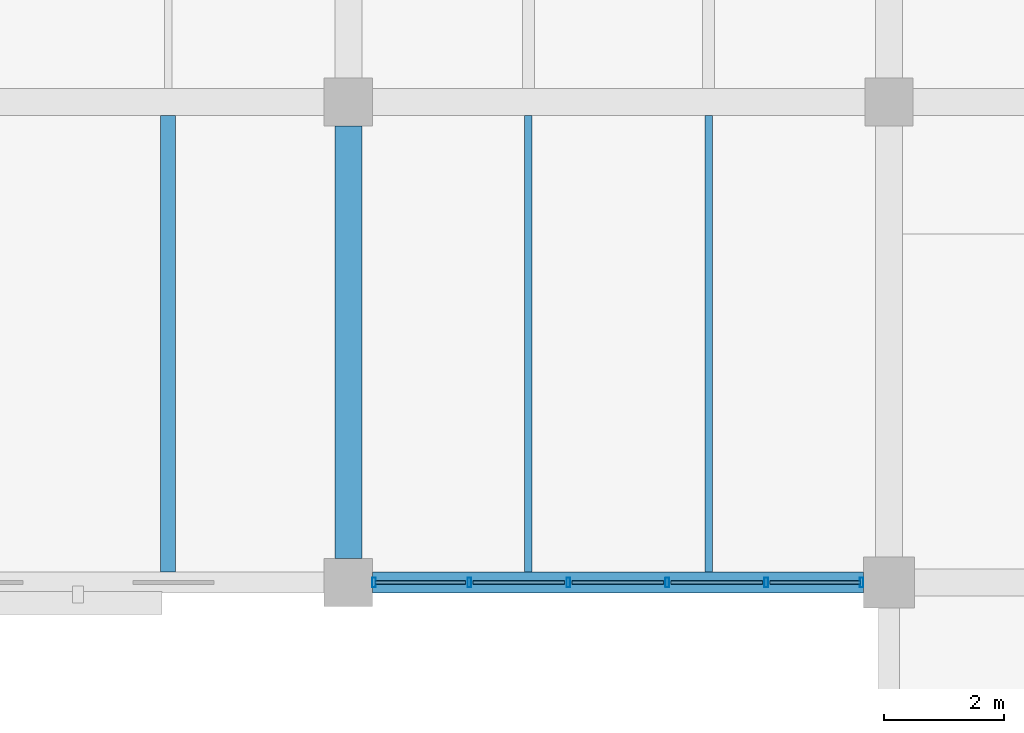
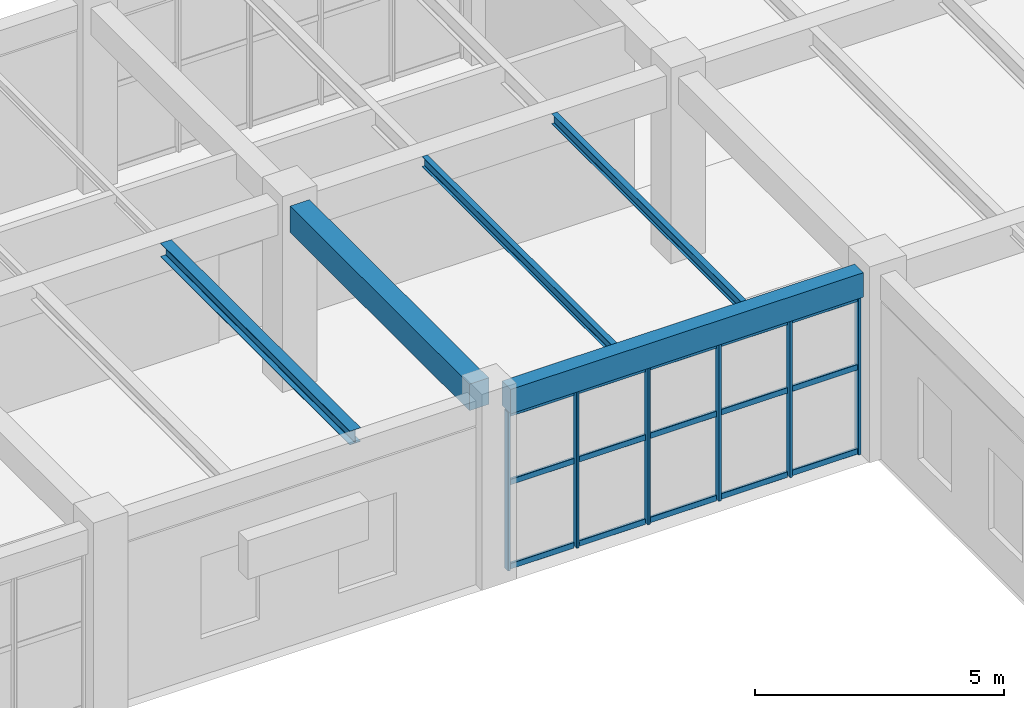
# One storey, part 128 of 178: 21 members, 5 beams, 1 element without a shape of its own.
"""IFC4 building model written with IfcOpenShell, lengths in metres."""

from ifc_helpers import new_model, si_unit, derived_unit, direction, frame, origin, origin_2d, place, context, subcontext, project, spatial, rectangle, hollow_rectangle, i_section, extrude, material, material_profile, profile_set, type_object, element, aggregate, save


model = new_model("IFC4")

# Units and contexts
model_context = context("Model", 3, precision=1e-05, world=origin(), true_north=direction((0.0, 1.0)))
body_context = subcontext(model_context, "Body", "Model", "MODEL_VIEW")
ifc_project = project(units=[si_unit("LENGTHUNIT", "METRE"), si_unit("AREAUNIT", "SQUARE_METRE"), si_unit("VOLUMEUNIT", "CUBIC_METRE"), si_unit("PLANEANGLEUNIT", "RADIAN"), si_unit("MASSUNIT", "GRAM", prefix="KILO"), derived_unit("THERMALTRANSMITTANCEUNIT", [(si_unit("MASSUNIT", "GRAM", prefix="KILO"), 1), (si_unit("TIMEUNIT", "SECOND"), -3), (si_unit("THERMODYNAMICTEMPERATUREUNIT", "KELVIN"), -1)])], contexts=[model_context])

# Site, building, storey
site_placement = place(None, origin())
site = spatial("IfcSite", under=ifc_project, at=site_placement, CompositionType="ELEMENT")
building_placement = place(site_placement, origin())
building = spatial("IfcBuilding", under=site, at=building_placement, Name="Zhenchuan Archway Interchange", CompositionType="ELEMENT")
storey_placement = place(building_placement, frame((0.0, 0.0, 5.39990234375)))
storey = spatial("IfcBuildingStorey", under=building, at=storey_placement, Name="L01", CompositionType="ELEMENT", Elevation=5.39990234375)

# Beam
ifc_material_1 = material(Name="Concrete C40", Category="concrete")
ifc_material_profile_1 = material_profile(ifc_material_1, rectangle(XDim=0.449951171875, YDim=0.64990234375, at=origin_2d()), Name="RC 450x650")
ifc_profile_set_1 = profile_set([ifc_material_profile_1], Name="Concrete C40")
beam_type_1 = type_object("IfcBeamType", Name="BM_RC_450x650", PredefinedType="BEAM", material=ifc_profile_set_1)
beam_1_placement = place(storey_placement, frame((135.0, 88.39990234375, 4.18505859375), z_axis=(0.0, 1.0, 0.0), x_axis=(-1.0, 0.0, 0.0)))
element("IfcBeam", 1, at=beam_1_placement, inside=storey, type_object=beam_type_1, Name="Beam 16:M-N (L01)", PredefinedType="BEAM", context=body_context, shape_type="SweptSolid", body=[
    extrude(rectangle(XDim=0.449951171875, YDim=0.64990234375, at=origin_2d()), origin(), (0.0, 0.0, 1.0), 7.2001953125),
])

# Curtain wall, members
ifc_material_2 = material(Name="Anodised Aluminium", Category="aluminium")
curtain_wall_type = type_object("IfcCurtainWallType", Name="CW_UNIT_1", PredefinedType="NOTDEFINED", material=ifc_material_2)
curtain_wall_placement = place(storey_placement, origin())
curtain_wall = element("IfcCurtainWall", 2, at=curtain_wall_placement, inside=storey, type_object=curtain_wall_type, Name="Unitised curtain wall CW:L01:096", PredefinedType="NOTDEFINED")
ifc_material_profile_2 = material_profile(ifc_material_2, hollow_rectangle(XDim=0.06005859375, YDim=0.159912109375, WallThickness=0.00390625, InnerFilletRadius=0.00390625, OuterFilletRadius=0.008056640625, at=origin_2d()), Name="ALU 160x60x4")
ifc_profile_set_2 = profile_set([ifc_material_profile_2], Name="Anodised Aluminium")
member_type_1 = type_object("IfcMemberType", Name="CW_MUL_150", PredefinedType="MULLION", material=ifc_profile_set_2)
member_1_placement = place(storey_placement, frame((143.547119140625, 88.0, 0.0), z_axis=(0.0, 0.0, 1.0), x_axis=(1.0, 0.0, 0.0)))
member_1 = element("IfcMember", 3, at=member_1_placement, type_object=member_type_1, Name="CW:L01:096 mullion 0", PredefinedType="MULLION", context=body_context, shape_type="SweptSolid", body=[
    extrude(hollow_rectangle(XDim=0.06005859375, YDim=0.159912109375, WallThickness=0.00390625, InnerFilletRadius=0.00390625, OuterFilletRadius=0.008056640625, at=origin_2d()), origin(), (0.0, 0.0, 1.0), 3.880126953125),
])
member_2_placement = place(storey_placement, frame((141.959228515625, 88.0, 0.0), z_axis=(0.0, 0.0, 1.0), x_axis=(1.0, 0.0, 0.0)))
member_2 = element("IfcMember", 4, at=member_2_placement, type_object=member_type_1, Name="CW:L01:096 mullion 1", PredefinedType="MULLION", context=body_context, shape_type="SweptSolid", body=[
    extrude(hollow_rectangle(XDim=0.06005859375, YDim=0.159912109375, WallThickness=0.00390625, InnerFilletRadius=0.00390625, OuterFilletRadius=0.008056640625, at=origin_2d()), origin(), (0.0, 0.0, 1.0), 3.880126953125),
])
member_3_placement = place(storey_placement, frame((140.311279296875, 88.0, 0.0), z_axis=(0.0, 0.0, 1.0), x_axis=(1.0, 0.0, 0.0)))
member_3 = element("IfcMember", 5, at=member_3_placement, type_object=member_type_1, Name="CW:L01:096 mullion 2", PredefinedType="MULLION", context=body_context, shape_type="SweptSolid", body=[
    extrude(hollow_rectangle(XDim=0.06005859375, YDim=0.159912109375, WallThickness=0.00390625, InnerFilletRadius=0.00390625, OuterFilletRadius=0.008056640625, at=origin_2d()), origin(), (0.0, 0.0, 1.0), 3.880126953125),
])
member_4_placement = place(storey_placement, frame((138.66357421875, 88.0, 0.0), z_axis=(0.0, 0.0, 1.0), x_axis=(1.0, 0.0, 0.0)))
member_4 = element("IfcMember", 6, at=member_4_placement, type_object=member_type_1, Name="CW:L01:096 mullion 3", PredefinedType="MULLION", context=body_context, shape_type="SweptSolid", body=[
    extrude(hollow_rectangle(XDim=0.06005859375, YDim=0.159912109375, WallThickness=0.00390625, InnerFilletRadius=0.00390625, OuterFilletRadius=0.008056640625, at=origin_2d()), origin(), (0.0, 0.0, 1.0), 3.880126953125),
])
member_5_placement = place(storey_placement, frame((137.015869140625, 88.0, 0.0), z_axis=(0.0, 0.0, 1.0), x_axis=(1.0, 0.0, 0.0)))
member_5 = element("IfcMember", 7, at=member_5_placement, type_object=member_type_1, Name="CW:L01:096 mullion 4", PredefinedType="MULLION", context=body_context, shape_type="SweptSolid", body=[
    extrude(hollow_rectangle(XDim=0.06005859375, YDim=0.159912109375, WallThickness=0.00390625, InnerFilletRadius=0.00390625, OuterFilletRadius=0.008056640625, at=origin_2d()), origin(), (0.0, 0.0, 1.0), 3.880126953125),
])
member_6_placement = place(storey_placement, frame((135.427978515625, 88.0, 0.0), z_axis=(0.0, 0.0, 1.0), x_axis=(1.0, 0.0, 0.0)))
member_6 = element("IfcMember", 8, at=member_6_placement, type_object=member_type_1, Name="CW:L01:096 mullion 5", PredefinedType="MULLION", context=body_context, shape_type="SweptSolid", body=[
    extrude(hollow_rectangle(XDim=0.06005859375, YDim=0.159912109375, WallThickness=0.00390625, InnerFilletRadius=0.00390625, OuterFilletRadius=0.008056640625, at=origin_2d()), origin(), (0.0, 0.0, 1.0), 3.880126953125),
])
ifc_material_profile_3 = material_profile(ifc_material_2, hollow_rectangle(XDim=0.06005859375, YDim=0.139892578125, WallThickness=0.00341796875, InnerFilletRadius=0.00341796875, OuterFilletRadius=0.007080078125, at=origin_2d()), Name="ALU 140x60x3.5")
ifc_profile_set_3 = profile_set([ifc_material_profile_3], Name="Anodised Aluminium")
member_type_2 = type_object("IfcMemberType", Name="CW_TRN_140", PredefinedType="USERDEFINED", material=ifc_profile_set_3)
member_7_placement = place(storey_placement, frame((143.527099609375, 88.0, 0.06005859375), z_axis=(-1.0, 0.0, 0.0), x_axis=(0.0, -1.0, 0.0)))
member_7 = element("IfcMember", 9, at=member_7_placement, type_object=member_type_2, Name="CW:L01:096 transom 0-1", ObjectType="TRANSOM", PredefinedType="USERDEFINED", context=body_context, shape_type="SweptSolid", body=[
    extrude(hollow_rectangle(XDim=0.06005859375, YDim=0.139892578125, WallThickness=0.00341796875, InnerFilletRadius=0.00341796875, OuterFilletRadius=0.007080078125, at=origin_2d()), origin(), (0.0, 0.0, 1.0), 1.5078125),
])
member_8_placement = place(storey_placement, frame((143.527099609375, 88.0, 2.123046875), z_axis=(-1.0, 0.0, 0.0), x_axis=(0.0, -1.0, 0.0)))
member_8 = element("IfcMember", 10, at=member_8_placement, type_object=member_type_2, Name="CW:L01:096 transom 0-2", ObjectType="TRANSOM", PredefinedType="USERDEFINED", context=body_context, shape_type="SweptSolid", body=[
    extrude(hollow_rectangle(XDim=0.06005859375, YDim=0.139892578125, WallThickness=0.00341796875, InnerFilletRadius=0.00341796875, OuterFilletRadius=0.007080078125, at=origin_2d()), origin(), (0.0, 0.0, 1.0), 1.5078125),
])
member_9_placement = place(storey_placement, frame((143.527099609375, 88.0, 3.800048828125), z_axis=(-1.0, 0.0, 0.0), x_axis=(0.0, -1.0, 0.0)))
member_9 = element("IfcMember", 11, at=member_9_placement, type_object=member_type_2, Name="CW:L01:096 transom 0-3", ObjectType="TRANSOM", PredefinedType="USERDEFINED", context=body_context, shape_type="SweptSolid", body=[
    extrude(hollow_rectangle(XDim=0.06005859375, YDim=0.139892578125, WallThickness=0.00341796875, InnerFilletRadius=0.00341796875, OuterFilletRadius=0.007080078125, at=origin_2d()), origin(), (0.0, 0.0, 1.0), 1.5078125),
])
member_10_placement = place(storey_placement, frame((141.899169921875, 88.0, 0.06005859375), z_axis=(-1.0, 0.0, 0.0), x_axis=(0.0, -1.0, 0.0)))
member_10 = element("IfcMember", 12, at=member_10_placement, type_object=member_type_2, Name="CW:L01:096 transom 1-1", ObjectType="TRANSOM", PredefinedType="USERDEFINED", context=body_context, shape_type="SweptSolid", body=[
    extrude(hollow_rectangle(XDim=0.06005859375, YDim=0.139892578125, WallThickness=0.00341796875, InnerFilletRadius=0.00341796875, OuterFilletRadius=0.007080078125, at=origin_2d()), origin(), (0.0, 0.0, 1.0), 1.52783203125),
])
member_11_placement = place(storey_placement, frame((141.899169921875, 88.0, 2.123046875), z_axis=(-1.0, 0.0, 0.0), x_axis=(0.0, -1.0, 0.0)))
member_11 = element("IfcMember", 13, at=member_11_placement, type_object=member_type_2, Name="CW:L01:096 transom 1-2", ObjectType="TRANSOM", PredefinedType="USERDEFINED", context=body_context, shape_type="SweptSolid", body=[
    extrude(hollow_rectangle(XDim=0.06005859375, YDim=0.139892578125, WallThickness=0.00341796875, InnerFilletRadius=0.00341796875, OuterFilletRadius=0.007080078125, at=origin_2d()), origin(), (0.0, 0.0, 1.0), 1.52783203125),
])
member_12_placement = place(storey_placement, frame((141.899169921875, 88.0, 3.800048828125), z_axis=(-1.0, 0.0, 0.0), x_axis=(0.0, -1.0, 0.0)))
member_12 = element("IfcMember", 14, at=member_12_placement, type_object=member_type_2, Name="CW:L01:096 transom 1-3", ObjectType="TRANSOM", PredefinedType="USERDEFINED", context=body_context, shape_type="SweptSolid", body=[
    extrude(hollow_rectangle(XDim=0.06005859375, YDim=0.139892578125, WallThickness=0.00341796875, InnerFilletRadius=0.00341796875, OuterFilletRadius=0.007080078125, at=origin_2d()), origin(), (0.0, 0.0, 1.0), 1.52783203125),
])
member_13_placement = place(storey_placement, frame((140.25146484375, 88.0, 0.06005859375), z_axis=(-1.0, 0.0, 0.0), x_axis=(0.0, -1.0, 0.0)))
member_13 = element("IfcMember", 15, at=member_13_placement, type_object=member_type_2, Name="CW:L01:096 transom 2-1", ObjectType="TRANSOM", PredefinedType="USERDEFINED", context=body_context, shape_type="SweptSolid", body=[
    extrude(hollow_rectangle(XDim=0.06005859375, YDim=0.139892578125, WallThickness=0.00341796875, InnerFilletRadius=0.00341796875, OuterFilletRadius=0.007080078125, at=origin_2d()), origin(), (0.0, 0.0, 1.0), 1.52783203125),
])
member_14_placement = place(storey_placement, frame((140.25146484375, 88.0, 2.123046875), z_axis=(-1.0, 0.0, 0.0), x_axis=(0.0, -1.0, 0.0)))
member_14 = element("IfcMember", 16, at=member_14_placement, type_object=member_type_2, Name="CW:L01:096 transom 2-2", ObjectType="TRANSOM", PredefinedType="USERDEFINED", context=body_context, shape_type="SweptSolid", body=[
    extrude(hollow_rectangle(XDim=0.06005859375, YDim=0.139892578125, WallThickness=0.00341796875, InnerFilletRadius=0.00341796875, OuterFilletRadius=0.007080078125, at=origin_2d()), origin(), (0.0, 0.0, 1.0), 1.52783203125),
])
member_15_placement = place(storey_placement, frame((140.25146484375, 88.0, 3.800048828125), z_axis=(-1.0, 0.0, 0.0), x_axis=(0.0, -1.0, 0.0)))
member_15 = element("IfcMember", 17, at=member_15_placement, type_object=member_type_2, Name="CW:L01:096 transom 2-3", ObjectType="TRANSOM", PredefinedType="USERDEFINED", context=body_context, shape_type="SweptSolid", body=[
    extrude(hollow_rectangle(XDim=0.06005859375, YDim=0.139892578125, WallThickness=0.00341796875, InnerFilletRadius=0.00341796875, OuterFilletRadius=0.007080078125, at=origin_2d()), origin(), (0.0, 0.0, 1.0), 1.52783203125),
])
member_16_placement = place(storey_placement, frame((138.603515625, 88.0, 0.06005859375), z_axis=(-1.0, 0.0, 0.0), x_axis=(0.0, -1.0, 0.0)))
member_16 = element("IfcMember", 18, at=member_16_placement, type_object=member_type_2, Name="CW:L01:096 transom 3-1", ObjectType="TRANSOM", PredefinedType="USERDEFINED", context=body_context, shape_type="SweptSolid", body=[
    extrude(hollow_rectangle(XDim=0.06005859375, YDim=0.139892578125, WallThickness=0.00341796875, InnerFilletRadius=0.00341796875, OuterFilletRadius=0.007080078125, at=origin_2d()), origin(), (0.0, 0.0, 1.0), 1.52783203125),
])
member_17_placement = place(storey_placement, frame((138.603515625, 88.0, 2.123046875), z_axis=(-1.0, 0.0, 0.0), x_axis=(0.0, -1.0, 0.0)))
member_17 = element("IfcMember", 19, at=member_17_placement, type_object=member_type_2, Name="CW:L01:096 transom 3-2", ObjectType="TRANSOM", PredefinedType="USERDEFINED", context=body_context, shape_type="SweptSolid", body=[
    extrude(hollow_rectangle(XDim=0.06005859375, YDim=0.139892578125, WallThickness=0.00341796875, InnerFilletRadius=0.00341796875, OuterFilletRadius=0.007080078125, at=origin_2d()), origin(), (0.0, 0.0, 1.0), 1.52783203125),
])
member_18_placement = place(storey_placement, frame((138.603515625, 88.0, 3.800048828125), z_axis=(-1.0, 0.0, 0.0), x_axis=(0.0, -1.0, 0.0)))
member_18 = element("IfcMember", 20, at=member_18_placement, type_object=member_type_2, Name="CW:L01:096 transom 3-3", ObjectType="TRANSOM", PredefinedType="USERDEFINED", context=body_context, shape_type="SweptSolid", body=[
    extrude(hollow_rectangle(XDim=0.06005859375, YDim=0.139892578125, WallThickness=0.00341796875, InnerFilletRadius=0.00341796875, OuterFilletRadius=0.007080078125, at=origin_2d()), origin(), (0.0, 0.0, 1.0), 1.52783203125),
])
member_19_placement = place(storey_placement, frame((136.955810546875, 88.0, 0.06005859375), z_axis=(-1.0, 0.0, 0.0), x_axis=(0.0, -1.0, 0.0)))
member_19 = element("IfcMember", 21, at=member_19_placement, type_object=member_type_2, Name="CW:L01:096 transom 4-1", ObjectType="TRANSOM", PredefinedType="USERDEFINED", context=body_context, shape_type="SweptSolid", body=[
    extrude(hollow_rectangle(XDim=0.06005859375, YDim=0.139892578125, WallThickness=0.00341796875, InnerFilletRadius=0.00341796875, OuterFilletRadius=0.007080078125, at=origin_2d()), origin(), (0.0, 0.0, 1.0), 1.5078125),
])
member_20_placement = place(storey_placement, frame((136.955810546875, 88.0, 2.123046875), z_axis=(-1.0, 0.0, 0.0), x_axis=(0.0, -1.0, 0.0)))
member_20 = element("IfcMember", 22, at=member_20_placement, type_object=member_type_2, Name="CW:L01:096 transom 4-2", ObjectType="TRANSOM", PredefinedType="USERDEFINED", context=body_context, shape_type="SweptSolid", body=[
    extrude(hollow_rectangle(XDim=0.06005859375, YDim=0.139892578125, WallThickness=0.00341796875, InnerFilletRadius=0.00341796875, OuterFilletRadius=0.007080078125, at=origin_2d()), origin(), (0.0, 0.0, 1.0), 1.5078125),
])
member_21_placement = place(storey_placement, frame((136.955810546875, 88.0, 3.800048828125), z_axis=(-1.0, 0.0, 0.0), x_axis=(0.0, -1.0, 0.0)))
member_21 = element("IfcMember", 23, at=member_21_placement, type_object=member_type_2, Name="CW:L01:096 transom 4-3", ObjectType="TRANSOM", PredefinedType="USERDEFINED", context=body_context, shape_type="SweptSolid", body=[
    extrude(hollow_rectangle(XDim=0.06005859375, YDim=0.139892578125, WallThickness=0.00341796875, InnerFilletRadius=0.00341796875, OuterFilletRadius=0.007080078125, at=origin_2d()), origin(), (0.0, 0.0, 1.0), 1.5078125),
])
aggregate(curtain_wall, [member_1, member_2, member_3, member_4, member_5, member_6, member_7, member_8, member_9, member_10, member_11, member_12, member_13, member_14, member_15, member_16, member_17, member_18, member_19, member_20, member_21])

# Beams
ifc_material_3 = material(Name="Steel Q355", Category="steel")
ifc_material_profile_4 = material_profile(ifc_material_3, i_section(OverallWidth=0.25, OverallDepth=0.340087890625, WebThickness=0.009033203125, FlangeThickness=0.013916015625, FilletRadius=0.01806640625, at=origin_2d()), Name="HM 340x250")
ifc_profile_set_4 = profile_set([ifc_material_profile_4], Name="Steel Q355")
beam_type_2 = type_object("IfcBeamType", Name="JST_STL_HM340", PredefinedType="JOIST", material=ifc_profile_set_4)
beam_2_placement = place(storey_placement, frame((132.0, 88.175048828125, 4.340087890625), z_axis=(0.0, 1.0, 0.0), x_axis=(-1.0, 0.0, 0.0)))
element("IfcBeam", 24, at=beam_2_placement, inside=storey, type_object=beam_type_2, Name="Secondary joist 15-16/M-N #2 (L01)", PredefinedType="JOIST", context=body_context, shape_type="SweptSolid", body=[
    extrude(i_section(OverallWidth=0.25, OverallDepth=0.340087890625, WebThickness=0.009033203125, FlangeThickness=0.013916015625, FilletRadius=0.01806640625, at=origin_2d()), origin(), (0.0, 0.0, 1.0), 7.599853515625),
])
ifc_material_profile_5 = material_profile(ifc_material_3, i_section(OverallWidth=0.125, OverallDepth=0.25, WebThickness=0.006103515625, FlangeThickness=0.009033203125, FilletRadius=0.011962890625, at=origin_2d()), Name="HN 250x125")
ifc_profile_set_5 = profile_set([ifc_material_profile_5], Name="Steel Q355")
beam_type_3 = type_object("IfcBeamType", Name="JST_STL_HN250", PredefinedType="JOIST", material=ifc_profile_set_5)
for number, where, z_axis, x_axis, name in (
    (25, (138.0, 88.175048828125, 4.385009765625), (0.0, 1.0, 0.0), (-1.0, 0.0, 0.0), "Secondary joist 16-17/M-N #1 (L01)"),
    (26, (141.0, 88.175048828125, 4.385009765625), (0.0, 1.0, 0.0), (-1.0, 0.0, 0.0), "Secondary joist 16-17/M-N #2 (L01)"),
):
    element("IfcBeam", number, at=place(storey_placement, frame(where, z_axis=z_axis, x_axis=x_axis)), inside=storey, type_object=beam_type_3, Name=name, PredefinedType="JOIST", context=body_context, shape_type="SweptSolid", body=[
        extrude(i_section(OverallWidth=0.125, OverallDepth=0.25, WebThickness=0.006103515625, FlangeThickness=0.009033203125, FilletRadius=0.011962890625, at=origin_2d()), origin(), (0.0, 0.0, 1.0), 7.599853515625),
    ])
ifc_material_profile_6 = material_profile(ifc_material_1, rectangle(XDim=0.35009765625, YDim=0.60009765625, at=origin_2d()), Name="RC 350x600")
ifc_profile_set_6 = profile_set([ifc_material_profile_6], Name="Concrete C40")
beam_type_4 = type_object("IfcBeamType", Name="SP_RC_350x600", PredefinedType="SPANDREL", material=ifc_profile_set_6)
beam_3_placement = place(storey_placement, frame((135.39990234375, 88.0, 4.210205078125), z_axis=(1.0, 0.0, 0.0), x_axis=(0.0, 1.0, 0.0)))
element("IfcBeam", 27, at=beam_3_placement, inside=storey, type_object=beam_type_4, Name="Beam M:16-17 (L01)", PredefinedType="SPANDREL", context=body_context, shape_type="SweptSolid", body=[
    extrude(rectangle(XDim=0.35009765625, YDim=0.60009765625, at=origin_2d()), origin(), (0.0, 0.0, 1.0), 8.175048828125),
])

save(model, "model.ifc")
